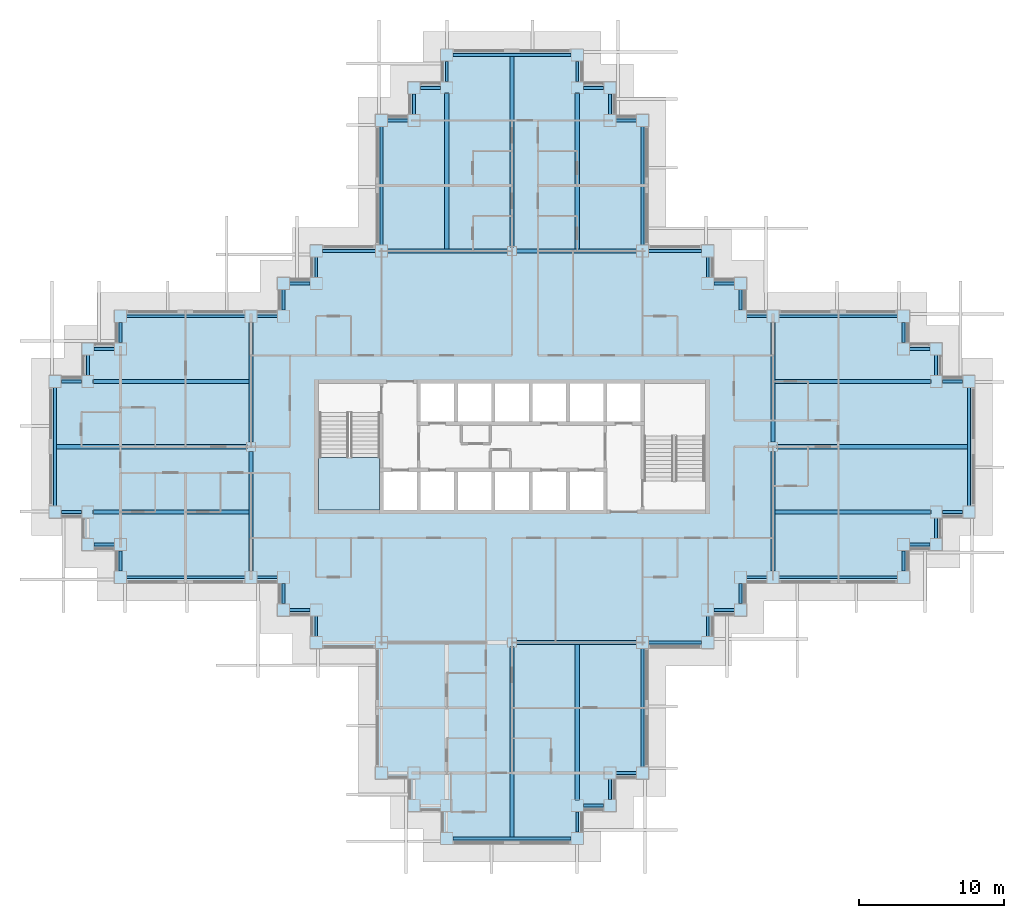
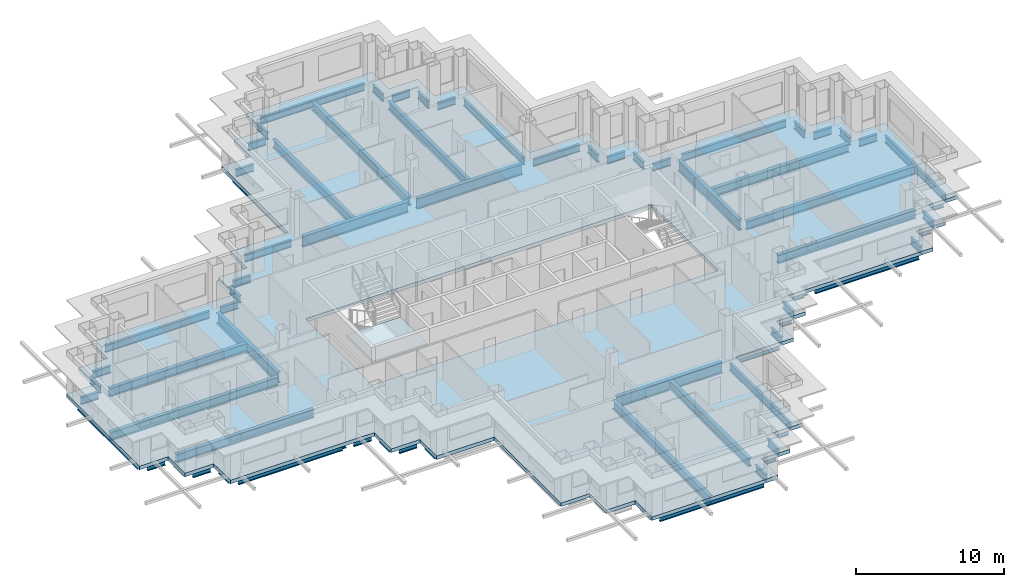
# One storey, part 3 of 17: 75 beams, 2 slabs, 1 element without a shape of its own.
"""IFC4 building model written with IfcOpenShell, lengths in metres."""

from ifc_helpers import new_model, si_unit, direction, frame, origin, origin_2d, place, context, subcontext, project, spatial, polyline, i_section, outline, extrude, material, layer, layer_set, material_profile, profile_set, type_object, element, aggregate, save


model = new_model("IFC4")

# Units and contexts
model_context = context("Model", 3, precision=1e-05, world=origin(), true_north=direction((0.0, 1.0)))
body_context = subcontext(model_context, "Body", "Model", "MODEL_VIEW")
ifc_project = project(units=[si_unit("LENGTHUNIT", "METRE"), si_unit("AREAUNIT", "SQUARE_METRE"), si_unit("VOLUMEUNIT", "CUBIC_METRE"), si_unit("PLANEANGLEUNIT", "RADIAN"), si_unit("MASSUNIT", "GRAM", prefix="KILO")], contexts=[model_context])

# Site, building, storey
site_placement = place(None, origin())
site = spatial("IfcSite", under=ifc_project, at=site_placement, CompositionType="ELEMENT")
building_placement = place(site_placement, origin())
building = spatial("IfcBuilding", under=site, at=building_placement, Name="Caravel Reach Hotel and Residences", CompositionType="ELEMENT")
storey_placement = place(building_placement, frame((0.0, 0.0, 136.800048828125)))
storey = spatial("IfcBuildingStorey", under=building, at=storey_placement, Name="L34", CompositionType="ELEMENT", Elevation=136.800048828125)

# Beams
ifc_material_1 = material(Name="Structural steel Q355B", Category="steel")
ifc_material_profile_1 = material_profile(ifc_material_1, i_section(OverallWidth=0.300048828125, OverallDepth=0.699951171875, WebThickness=0.012939453125, FlangeThickness=0.02392578125, FilletRadius=0.01806640625, at=origin_2d()), Name="HN 700x300x13x24")
ifc_profile_set_1 = profile_set([ifc_material_profile_1], Name="Structural steel Q355B")
beam_type_1 = type_object("IfcBeamType", Name="Beam HN 700x300x13x24", PredefinedType="BEAM", material=ifc_profile_set_1)
beam_1_placement = place(storey_placement, frame((27.0, 40.60009765625, -0.650146484375), z_axis=(0.0, 1.0, 0.0), x_axis=(-1.0, 0.0, 0.0)))
element("IfcBeam", 1, at=beam_1_placement, inside=storey, type_object=beam_type_1, Name="B2 HN 700x300x13x24", PredefinedType="BEAM", context=body_context, shape_type="SweptSolid", body=[
    extrude(i_section(OverallWidth=0.300048828125, OverallDepth=0.699951171875, WebThickness=0.012939453125, FlangeThickness=0.02392578125, FilletRadius=0.01806640625, at=origin_2d()), origin(), (0.0, 0.0, 1.0), 10.77490234375),
])
beam_2_placement = place(storey_placement, frame((31.5, 40.77490234375, -0.650146484375), z_axis=(0.0, 1.0, 0.0), x_axis=(-1.0, 0.0, 0.0)))
element("IfcBeam", 2, at=beam_2_placement, inside=storey, type_object=beam_type_1, Name="B2 HN 700x300x13x24", PredefinedType="BEAM", context=body_context, shape_type="SweptSolid", body=[
    extrude(i_section(OverallWidth=0.300048828125, OverallDepth=0.699951171875, WebThickness=0.012939453125, FlangeThickness=0.02392578125, FilletRadius=0.01806640625, at=origin_2d()), origin(), (0.0, 0.0, 1.0), 13.125),
])
beam_3_placement = place(storey_placement, frame((36.0, 40.60009765625, -0.650146484375), z_axis=(0.0, 1.0, 0.0), x_axis=(-1.0, 0.0, 0.0)))
element("IfcBeam", 3, at=beam_3_placement, inside=storey, type_object=beam_type_1, Name="B2 HN 700x300x13x24", PredefinedType="BEAM", context=body_context, shape_type="SweptSolid", body=[
    extrude(i_section(OverallWidth=0.300048828125, OverallDepth=0.699951171875, WebThickness=0.012939453125, FlangeThickness=0.02392578125, FilletRadius=0.01806640625, at=origin_2d()), origin(), (0.0, 0.0, 1.0), 10.77490234375),
])
beam_4_placement = place(storey_placement, frame((31.5, 13.22509765625, -0.650146484375), z_axis=(0.0, -1.0, 0.0), x_axis=(1.0, 0.0, 0.0)))
element("IfcBeam", 4, at=beam_4_placement, inside=storey, type_object=beam_type_1, Name="B2 HN 700x300x13x24", PredefinedType="BEAM", context=body_context, shape_type="SweptSolid", body=[
    extrude(i_section(OverallWidth=0.300048828125, OverallDepth=0.699951171875, WebThickness=0.012939453125, FlangeThickness=0.02392578125, FilletRadius=0.01806640625, at=origin_2d()), origin(), (0.0, 0.0, 1.0), 13.125),
])
for number, where, z_axis, x_axis, name in (
    (5, (36.0, 13.39990234375, -0.650146484375), (0.0, -1.0, 0.0), (1.0, 0.0, 0.0), "B2 HN 700x300x13x24"),
    (6, (49.60009765625, 22.5, -0.650146484375), (1.0, 0.0, 0.0), (0.0, 1.0, 0.0), "B2 HN 700x300x13x24"),
):
    element("IfcBeam", number, at=place(storey_placement, frame(where, z_axis=z_axis, x_axis=x_axis)), inside=storey, type_object=beam_type_1, Name=name, PredefinedType="BEAM", context=body_context, shape_type="SweptSolid", body=[
        extrude(i_section(OverallWidth=0.300048828125, OverallDepth=0.699951171875, WebThickness=0.012939453125, FlangeThickness=0.02392578125, FilletRadius=0.01806640625, at=origin_2d()), origin(), (0.0, 0.0, 1.0), 10.77490234375),
    ])
beam_5_placement = place(storey_placement, frame((49.77490234375, 27.0, -0.650146484375), z_axis=(1.0, 0.0, 0.0), x_axis=(0.0, 1.0, 0.0)))
element("IfcBeam", 7, at=beam_5_placement, inside=storey, type_object=beam_type_1, Name="B2 HN 700x300x13x24", PredefinedType="BEAM", context=body_context, shape_type="SweptSolid", body=[
    extrude(i_section(OverallWidth=0.300048828125, OverallDepth=0.699951171875, WebThickness=0.012939453125, FlangeThickness=0.02392578125, FilletRadius=0.01806640625, at=origin_2d()), origin(), (0.0, 0.0, 1.0), 13.125),
])
for number, where, z_axis, x_axis, name in (
    (8, (49.60009765625, 31.5, -0.650146484375), (1.0, 0.0, 0.0), (0.0, 1.0, 0.0), "B2 HN 700x300x13x24"),
    (9, (13.39990234375, 22.5, -0.650146484375), (-1.0, 0.0, 0.0), (0.0, -1.0, 0.0), "B2 HN 700x300x13x24"),
):
    element("IfcBeam", number, at=place(storey_placement, frame(where, z_axis=z_axis, x_axis=x_axis)), inside=storey, type_object=beam_type_1, Name=name, PredefinedType="BEAM", context=body_context, shape_type="SweptSolid", body=[
        extrude(i_section(OverallWidth=0.300048828125, OverallDepth=0.699951171875, WebThickness=0.012939453125, FlangeThickness=0.02392578125, FilletRadius=0.01806640625, at=origin_2d()), origin(), (0.0, 0.0, 1.0), 10.77490234375),
    ])
beam_6_placement = place(storey_placement, frame((13.22509765625, 27.0, -0.650146484375), z_axis=(-1.0, 0.0, 0.0), x_axis=(0.0, -1.0, 0.0)))
element("IfcBeam", 10, at=beam_6_placement, inside=storey, type_object=beam_type_1, Name="B2 HN 700x300x13x24", PredefinedType="BEAM", context=body_context, shape_type="SweptSolid", body=[
    extrude(i_section(OverallWidth=0.300048828125, OverallDepth=0.699951171875, WebThickness=0.012939453125, FlangeThickness=0.02392578125, FilletRadius=0.01806640625, at=origin_2d()), origin(), (0.0, 0.0, 1.0), 13.125),
])
beam_7_placement = place(storey_placement, frame((13.39990234375, 31.5, -0.650146484375), z_axis=(-1.0, 0.0, 0.0), x_axis=(0.0, -1.0, 0.0)))
element("IfcBeam", 11, at=beam_7_placement, inside=storey, type_object=beam_type_1, Name="B2 HN 700x300x13x24", PredefinedType="BEAM", context=body_context, shape_type="SweptSolid", body=[
    extrude(i_section(OverallWidth=0.300048828125, OverallDepth=0.699951171875, WebThickness=0.012939453125, FlangeThickness=0.02392578125, FilletRadius=0.01806640625, at=origin_2d()), origin(), (0.0, 0.0, 1.0), 10.77490234375),
])
ifc_material_2 = material(Name="Structural steel Q355B", Category="steel")
ifc_material_profile_2 = material_profile(ifc_material_2, i_section(OverallWidth=0.300048828125, OverallDepth=0.89990234375, WebThickness=0.01611328125, FlangeThickness=0.028076171875, FilletRadius=0.01806640625, at=origin_2d()), Name="HN 900x300x16x28")
ifc_profile_set_2 = profile_set([ifc_material_profile_2], Name="Structural steel Q355B")
beam_type_2 = type_object("IfcBeamType", Name="Beam HN 900x300x16x28", PredefinedType="BEAM", material=ifc_profile_set_2)
for number, where, z_axis, x_axis, name in (
    (12, (22.925048828125, 40.5, -0.75), (1.0, 0.0, 0.0), (0.0, 1.0, 0.0), "B3 HN 900x300x16x28"),
    (13, (31.824951171875, 40.5, -0.75), (1.0, 0.0, 0.0), (0.0, 1.0, 0.0), "B3 HN 900x300x16x28"),
    (14, (31.824951171875, 13.5, -0.75), (1.0, 0.0, 0.0), (0.0, 1.0, 0.0), "B3 HN 900x300x16x28"),
    (15, (13.5, 18.425048828125, -0.75), (0.0, 1.0, 0.0), (-1.0, 0.0, 0.0), "B3 HN 900x300x16x28"),
    (16, (13.5, 27.324951171875, -0.75), (0.0, 1.0, 0.0), (-1.0, 0.0, 0.0), "B3 HN 900x300x16x28"),
    (17, (49.5, 18.425048828125, -0.75), (0.0, 1.0, 0.0), (-1.0, 0.0, 0.0), "B3 HN 900x300x16x28"),
    (18, (49.5, 27.324951171875, -0.75), (0.0, 1.0, 0.0), (-1.0, 0.0, 0.0), "B3 HN 900x300x16x28"),
):
    element("IfcBeam", number, at=place(storey_placement, frame(where, z_axis=z_axis, x_axis=x_axis)), inside=storey, type_object=beam_type_2, Name=name, PredefinedType="BEAM", context=body_context, shape_type="SweptSolid", body=[
        extrude(i_section(OverallWidth=0.300048828125, OverallDepth=0.89990234375, WebThickness=0.01611328125, FlangeThickness=0.028076171875, FilletRadius=0.01806640625, at=origin_2d()), origin(), (0.0, 0.0, 1.0), 8.25),
    ])
ifc_material_3 = material(Name="Structural steel Q355B", Category="steel")
ifc_material_profile_3 = material_profile(ifc_material_3, i_section(OverallWidth=0.199951171875, OverallDepth=0.60009765625, WebThickness=0.010986328125, FlangeThickness=0.01708984375, FilletRadius=0.012939453125, at=origin_2d()), Name="HN 600x200x11x17")
ifc_profile_set_3 = profile_set([ifc_material_profile_3], Name="Structural steel Q355B")
beam_type_3 = type_object("IfcBeamType", Name="Spandrel beam HN 600x200x11x17", PredefinedType="SPANDREL", material=ifc_profile_set_3)
beam_8_placement = place(storey_placement, frame((27.425048828125, 0.0, -0.60009765625), z_axis=(1.0, 0.0, 0.0), x_axis=(0.0, 1.0, 0.0)))
element("IfcBeam", 19, at=beam_8_placement, inside=storey, type_object=beam_type_3, Name="SP1 HN 600x200x11x17", PredefinedType="SPANDREL", context=body_context, shape_type="SweptSolid", body=[
    extrude(i_section(OverallWidth=0.199951171875, OverallDepth=0.60009765625, WebThickness=0.010986328125, FlangeThickness=0.01708984375, FilletRadius=0.012939453125, at=origin_2d()), origin(), (0.0, 0.0, 1.0), 8.14990234375),
])
for number, where, z_axis, x_axis, name in (
    (20, (36.0, 0.425048828125, -0.60009765625), (0.0, 1.0, 0.0), (-1.0, 0.0, 0.0), "SP1 HN 600x200x11x17"),
    (21, (36.425048828125, 2.25, -0.60009765625), (1.0, 0.0, 0.0), (0.0, 1.0, 0.0), "SP1 HN 600x200x11x17"),
    (22, (38.25, 2.675048828125, -0.60009765625), (0.0, 1.0, 0.0), (-1.0, 0.0, 0.0), "SP1 HN 600x200x11x17"),
    (23, (38.675048828125, 4.5, -0.60009765625), (1.0, 0.0, 0.0), (0.0, 1.0, 0.0), "SP1 HN 600x200x11x17"),
):
    element("IfcBeam", number, at=place(storey_placement, frame(where, z_axis=z_axis, x_axis=x_axis)), inside=storey, type_object=beam_type_3, Name=name, PredefinedType="SPANDREL", context=body_context, shape_type="SweptSolid", body=[
        extrude(i_section(OverallWidth=0.199951171875, OverallDepth=0.60009765625, WebThickness=0.010986328125, FlangeThickness=0.01708984375, FilletRadius=0.012939453125, at=origin_2d()), origin(), (0.0, 0.0, 1.0), 1.39990234375),
    ])
beam_9_placement = place(storey_placement, frame((40.5, 4.925048828125, -0.60009765625), z_axis=(0.0, 1.0, 0.0), x_axis=(-1.0, 0.0, 0.0)))
element("IfcBeam", 24, at=beam_9_placement, inside=storey, type_object=beam_type_3, Name="SP1 HN 600x200x11x17", PredefinedType="SPANDREL", context=body_context, shape_type="SweptSolid", body=[
    extrude(i_section(OverallWidth=0.199951171875, OverallDepth=0.60009765625, WebThickness=0.010986328125, FlangeThickness=0.01708984375, FilletRadius=0.012939453125, at=origin_2d()), origin(), (0.0, 0.0, 1.0), 8.14990234375),
])
beam_10_placement = place(storey_placement, frame((40.925048828125, 13.5, -0.60009765625), z_axis=(1.0, 0.0, 0.0), x_axis=(0.0, 1.0, 0.0)))
element("IfcBeam", 25, at=beam_10_placement, inside=storey, type_object=beam_type_3, Name="SP1 HN 600x200x11x17", PredefinedType="SPANDREL", context=body_context, shape_type="SweptSolid", body=[
    extrude(i_section(OverallWidth=0.199951171875, OverallDepth=0.60009765625, WebThickness=0.010986328125, FlangeThickness=0.01708984375, FilletRadius=0.012939453125, at=origin_2d()), origin(), (0.0, 0.0, 1.0), 3.64990234375),
])
for number, where, z_axis, x_axis, name in (
    (26, (45.0, 13.925048828125, -0.60009765625), (0.0, 1.0, 0.0), (-1.0, 0.0, 0.0), "SP1 HN 600x200x11x17"),
    (27, (45.425048828125, 15.75, -0.60009765625), (1.0, 0.0, 0.0), (0.0, 1.0, 0.0), "SP1 HN 600x200x11x17"),
    (28, (47.25, 16.175048828125, -0.60009765625), (0.0, 1.0, 0.0), (-1.0, 0.0, 0.0), "SP1 HN 600x200x11x17"),
    (29, (47.675048828125, 18.0, -0.60009765625), (1.0, 0.0, 0.0), (0.0, 1.0, 0.0), "SP1 HN 600x200x11x17"),
):
    element("IfcBeam", number, at=place(storey_placement, frame(where, z_axis=z_axis, x_axis=x_axis)), inside=storey, type_object=beam_type_3, Name=name, PredefinedType="SPANDREL", context=body_context, shape_type="SweptSolid", body=[
        extrude(i_section(OverallWidth=0.199951171875, OverallDepth=0.60009765625, WebThickness=0.010986328125, FlangeThickness=0.01708984375, FilletRadius=0.012939453125, at=origin_2d()), origin(), (0.0, 0.0, 1.0), 1.39990234375),
    ])
beam_11_placement = place(storey_placement, frame((49.925048828125, 18.0, -0.60009765625), z_axis=(1.0, 0.0, 0.0), x_axis=(0.0, 1.0, 0.0)))
element("IfcBeam", 30, at=beam_11_placement, inside=storey, type_object=beam_type_3, Name="SP1 HN 600x200x11x17", PredefinedType="SPANDREL", context=body_context, shape_type="SweptSolid", body=[
    extrude(i_section(OverallWidth=0.199951171875, OverallDepth=0.60009765625, WebThickness=0.010986328125, FlangeThickness=0.01708984375, FilletRadius=0.012939453125, at=origin_2d()), origin(), (0.0, 0.0, 1.0), 8.14990234375),
])
for number, where, z_axis, x_axis, name in (
    (31, (58.5, 18.425048828125, -0.60009765625), (0.0, 1.0, 0.0), (-1.0, 0.0, 0.0), "SP1 HN 600x200x11x17"),
    (32, (58.925048828125, 20.25, -0.60009765625), (1.0, 0.0, 0.0), (0.0, 1.0, 0.0), "SP1 HN 600x200x11x17"),
    (33, (60.75, 20.675048828125, -0.60009765625), (0.0, 1.0, 0.0), (-1.0, 0.0, 0.0), "SP1 HN 600x200x11x17"),
    (34, (61.175048828125, 22.5, -0.60009765625), (1.0, 0.0, 0.0), (0.0, 1.0, 0.0), "SP1 HN 600x200x11x17"),
):
    element("IfcBeam", number, at=place(storey_placement, frame(where, z_axis=z_axis, x_axis=x_axis)), inside=storey, type_object=beam_type_3, Name=name, PredefinedType="SPANDREL", context=body_context, shape_type="SweptSolid", body=[
        extrude(i_section(OverallWidth=0.199951171875, OverallDepth=0.60009765625, WebThickness=0.010986328125, FlangeThickness=0.01708984375, FilletRadius=0.012939453125, at=origin_2d()), origin(), (0.0, 0.0, 1.0), 1.39990234375),
    ])
beam_12_placement = place(storey_placement, frame((63.0, 22.925048828125, -0.60009765625), z_axis=(0.0, 1.0, 0.0), x_axis=(-1.0, 0.0, 0.0)))
element("IfcBeam", 35, at=beam_12_placement, inside=storey, type_object=beam_type_3, Name="SP1 HN 600x200x11x17", PredefinedType="SPANDREL", context=body_context, shape_type="SweptSolid", body=[
    extrude(i_section(OverallWidth=0.199951171875, OverallDepth=0.60009765625, WebThickness=0.010986328125, FlangeThickness=0.01708984375, FilletRadius=0.012939453125, at=origin_2d()), origin(), (0.0, 0.0, 1.0), 8.14990234375),
])
for number, where, z_axis, x_axis, name in (
    (36, (62.574951171875, 31.5, -0.60009765625), (-1.0, 0.0, 0.0), (0.0, -1.0, 0.0), "SP1 HN 600x200x11x17"),
    (37, (60.75, 31.925048828125, -0.60009765625), (0.0, 1.0, 0.0), (-1.0, 0.0, 0.0), "SP1 HN 600x200x11x17"),
    (38, (60.324951171875, 33.75, -0.60009765625), (-1.0, 0.0, 0.0), (0.0, -1.0, 0.0), "SP1 HN 600x200x11x17"),
    (39, (58.5, 34.175048828125, -0.60009765625), (0.0, 1.0, 0.0), (-1.0, 0.0, 0.0), "SP1 HN 600x200x11x17"),
):
    element("IfcBeam", number, at=place(storey_placement, frame(where, z_axis=z_axis, x_axis=x_axis)), inside=storey, type_object=beam_type_3, Name=name, PredefinedType="SPANDREL", context=body_context, shape_type="SweptSolid", body=[
        extrude(i_section(OverallWidth=0.199951171875, OverallDepth=0.60009765625, WebThickness=0.010986328125, FlangeThickness=0.01708984375, FilletRadius=0.012939453125, at=origin_2d()), origin(), (0.0, 0.0, 1.0), 1.39990234375),
    ])
beam_13_placement = place(storey_placement, frame((58.074951171875, 36.0, -0.60009765625), z_axis=(-1.0, 0.0, 0.0), x_axis=(0.0, -1.0, 0.0)))
element("IfcBeam", 40, at=beam_13_placement, inside=storey, type_object=beam_type_3, Name="SP1 HN 600x200x11x17", PredefinedType="SPANDREL", context=body_context, shape_type="SweptSolid", body=[
    extrude(i_section(OverallWidth=0.199951171875, OverallDepth=0.60009765625, WebThickness=0.010986328125, FlangeThickness=0.01708984375, FilletRadius=0.012939453125, at=origin_2d()), origin(), (0.0, 0.0, 1.0), 8.14990234375),
])
for number, where, z_axis, x_axis, name in (
    (41, (49.074951171875, 36.0, -0.60009765625), (-1.0, 0.0, 0.0), (0.0, -1.0, 0.0), "SP1 HN 600x200x11x17"),
    (42, (47.25, 36.425048828125, -0.60009765625), (0.0, 1.0, 0.0), (-1.0, 0.0, 0.0), "SP1 HN 600x200x11x17"),
    (43, (46.824951171875, 38.25, -0.60009765625), (-1.0, 0.0, 0.0), (0.0, -1.0, 0.0), "SP1 HN 600x200x11x17"),
    (44, (45.0, 38.675048828125, -0.60009765625), (0.0, 1.0, 0.0), (-1.0, 0.0, 0.0), "SP1 HN 600x200x11x17"),
):
    element("IfcBeam", number, at=place(storey_placement, frame(where, z_axis=z_axis, x_axis=x_axis)), inside=storey, type_object=beam_type_3, Name=name, PredefinedType="SPANDREL", context=body_context, shape_type="SweptSolid", body=[
        extrude(i_section(OverallWidth=0.199951171875, OverallDepth=0.60009765625, WebThickness=0.010986328125, FlangeThickness=0.01708984375, FilletRadius=0.012939453125, at=origin_2d()), origin(), (0.0, 0.0, 1.0), 1.39990234375),
    ])
beam_14_placement = place(storey_placement, frame((44.574951171875, 40.5, -0.60009765625), z_axis=(-1.0, 0.0, 0.0), x_axis=(0.0, -1.0, 0.0)))
element("IfcBeam", 45, at=beam_14_placement, inside=storey, type_object=beam_type_3, Name="SP1 HN 600x200x11x17", PredefinedType="SPANDREL", context=body_context, shape_type="SweptSolid", body=[
    extrude(i_section(OverallWidth=0.199951171875, OverallDepth=0.60009765625, WebThickness=0.010986328125, FlangeThickness=0.01708984375, FilletRadius=0.012939453125, at=origin_2d()), origin(), (0.0, 0.0, 1.0), 3.64990234375),
])
beam_15_placement = place(storey_placement, frame((40.5, 40.925048828125, -0.60009765625), z_axis=(0.0, 1.0, 0.0), x_axis=(-1.0, 0.0, 0.0)))
element("IfcBeam", 46, at=beam_15_placement, inside=storey, type_object=beam_type_3, Name="SP1 HN 600x200x11x17", PredefinedType="SPANDREL", context=body_context, shape_type="SweptSolid", body=[
    extrude(i_section(OverallWidth=0.199951171875, OverallDepth=0.60009765625, WebThickness=0.010986328125, FlangeThickness=0.01708984375, FilletRadius=0.012939453125, at=origin_2d()), origin(), (0.0, 0.0, 1.0), 8.14990234375),
])
for number, where, z_axis, x_axis, name in (
    (47, (40.074951171875, 49.5, -0.60009765625), (-1.0, 0.0, 0.0), (0.0, -1.0, 0.0), "SP1 HN 600x200x11x17"),
    (48, (38.25, 49.925048828125, -0.60009765625), (0.0, 1.0, 0.0), (-1.0, 0.0, 0.0), "SP1 HN 600x200x11x17"),
    (49, (37.824951171875, 51.75, -0.60009765625), (-1.0, 0.0, 0.0), (0.0, -1.0, 0.0), "SP1 HN 600x200x11x17"),
    (50, (36.0, 52.175048828125, -0.60009765625), (0.0, 1.0, 0.0), (-1.0, 0.0, 0.0), "SP1 HN 600x200x11x17"),
):
    element("IfcBeam", number, at=place(storey_placement, frame(where, z_axis=z_axis, x_axis=x_axis)), inside=storey, type_object=beam_type_3, Name=name, PredefinedType="SPANDREL", context=body_context, shape_type="SweptSolid", body=[
        extrude(i_section(OverallWidth=0.199951171875, OverallDepth=0.60009765625, WebThickness=0.010986328125, FlangeThickness=0.01708984375, FilletRadius=0.012939453125, at=origin_2d()), origin(), (0.0, 0.0, 1.0), 1.39990234375),
    ])
beam_16_placement = place(storey_placement, frame((35.574951171875, 54.0, -0.60009765625), z_axis=(-1.0, 0.0, 0.0), x_axis=(0.0, -1.0, 0.0)))
element("IfcBeam", 51, at=beam_16_placement, inside=storey, type_object=beam_type_3, Name="SP1 HN 600x200x11x17", PredefinedType="SPANDREL", context=body_context, shape_type="SweptSolid", body=[
    extrude(i_section(OverallWidth=0.199951171875, OverallDepth=0.60009765625, WebThickness=0.010986328125, FlangeThickness=0.01708984375, FilletRadius=0.012939453125, at=origin_2d()), origin(), (0.0, 0.0, 1.0), 8.14990234375),
])
for number, where, z_axis, x_axis, name in (
    (52, (27.0, 53.574951171875, -0.60009765625), (0.0, -1.0, 0.0), (1.0, 0.0, 0.0), "SP1 HN 600x200x11x17"),
    (53, (26.574951171875, 51.75, -0.60009765625), (-1.0, 0.0, 0.0), (0.0, -1.0, 0.0), "SP1 HN 600x200x11x17"),
    (54, (24.75, 51.324951171875, -0.60009765625), (0.0, -1.0, 0.0), (1.0, 0.0, 0.0), "SP1 HN 600x200x11x17"),
    (55, (24.324951171875, 49.5, -0.60009765625), (-1.0, 0.0, 0.0), (0.0, -1.0, 0.0), "SP1 HN 600x200x11x17"),
):
    element("IfcBeam", number, at=place(storey_placement, frame(where, z_axis=z_axis, x_axis=x_axis)), inside=storey, type_object=beam_type_3, Name=name, PredefinedType="SPANDREL", context=body_context, shape_type="SweptSolid", body=[
        extrude(i_section(OverallWidth=0.199951171875, OverallDepth=0.60009765625, WebThickness=0.010986328125, FlangeThickness=0.01708984375, FilletRadius=0.012939453125, at=origin_2d()), origin(), (0.0, 0.0, 1.0), 1.39990234375),
    ])
beam_17_placement = place(storey_placement, frame((22.5, 49.074951171875, -0.60009765625), z_axis=(0.0, -1.0, 0.0), x_axis=(1.0, 0.0, 0.0)))
element("IfcBeam", 56, at=beam_17_placement, inside=storey, type_object=beam_type_3, Name="SP1 HN 600x200x11x17", PredefinedType="SPANDREL", context=body_context, shape_type="SweptSolid", body=[
    extrude(i_section(OverallWidth=0.199951171875, OverallDepth=0.60009765625, WebThickness=0.010986328125, FlangeThickness=0.01708984375, FilletRadius=0.012939453125, at=origin_2d()), origin(), (0.0, 0.0, 1.0), 8.14990234375),
])
beam_18_placement = place(storey_placement, frame((22.074951171875, 40.5, -0.60009765625), z_axis=(-1.0, 0.0, 0.0), x_axis=(0.0, -1.0, 0.0)))
element("IfcBeam", 57, at=beam_18_placement, inside=storey, type_object=beam_type_3, Name="SP1 HN 600x200x11x17", PredefinedType="SPANDREL", context=body_context, shape_type="SweptSolid", body=[
    extrude(i_section(OverallWidth=0.199951171875, OverallDepth=0.60009765625, WebThickness=0.010986328125, FlangeThickness=0.01708984375, FilletRadius=0.012939453125, at=origin_2d()), origin(), (0.0, 0.0, 1.0), 3.64990234375),
])
for number, where, z_axis, x_axis, name in (
    (58, (18.0, 40.074951171875, -0.60009765625), (0.0, -1.0, 0.0), (1.0, 0.0, 0.0), "SP1 HN 600x200x11x17"),
    (59, (17.574951171875, 38.25, -0.60009765625), (-1.0, 0.0, 0.0), (0.0, -1.0, 0.0), "SP1 HN 600x200x11x17"),
    (60, (15.75, 37.824951171875, -0.60009765625), (0.0, -1.0, 0.0), (1.0, 0.0, 0.0), "SP1 HN 600x200x11x17"),
    (61, (15.324951171875, 36.0, -0.60009765625), (-1.0, 0.0, 0.0), (0.0, -1.0, 0.0), "SP1 HN 600x200x11x17"),
):
    element("IfcBeam", number, at=place(storey_placement, frame(where, z_axis=z_axis, x_axis=x_axis)), inside=storey, type_object=beam_type_3, Name=name, PredefinedType="SPANDREL", context=body_context, shape_type="SweptSolid", body=[
        extrude(i_section(OverallWidth=0.199951171875, OverallDepth=0.60009765625, WebThickness=0.010986328125, FlangeThickness=0.01708984375, FilletRadius=0.012939453125, at=origin_2d()), origin(), (0.0, 0.0, 1.0), 1.39990234375),
    ])
beam_19_placement = place(storey_placement, frame((13.074951171875, 36.0, -0.60009765625), z_axis=(-1.0, 0.0, 0.0), x_axis=(0.0, -1.0, 0.0)))
element("IfcBeam", 62, at=beam_19_placement, inside=storey, type_object=beam_type_3, Name="SP1 HN 600x200x11x17", PredefinedType="SPANDREL", context=body_context, shape_type="SweptSolid", body=[
    extrude(i_section(OverallWidth=0.199951171875, OverallDepth=0.60009765625, WebThickness=0.010986328125, FlangeThickness=0.01708984375, FilletRadius=0.012939453125, at=origin_2d()), origin(), (0.0, 0.0, 1.0), 8.14990234375),
])
for number, where, z_axis, x_axis, name in (
    (63, (4.5, 35.574951171875, -0.60009765625), (0.0, -1.0, 0.0), (1.0, 0.0, 0.0), "SP1 HN 600x200x11x17"),
    (64, (4.074951171875, 33.75, -0.60009765625), (-1.0, 0.0, 0.0), (0.0, -1.0, 0.0), "SP1 HN 600x200x11x17"),
    (65, (2.25, 33.324951171875, -0.60009765625), (0.0, -1.0, 0.0), (1.0, 0.0, 0.0), "SP1 HN 600x200x11x17"),
    (66, (1.824951171875, 31.5, -0.60009765625), (-1.0, 0.0, 0.0), (0.0, -1.0, 0.0), "SP1 HN 600x200x11x17"),
):
    element("IfcBeam", number, at=place(storey_placement, frame(where, z_axis=z_axis, x_axis=x_axis)), inside=storey, type_object=beam_type_3, Name=name, PredefinedType="SPANDREL", context=body_context, shape_type="SweptSolid", body=[
        extrude(i_section(OverallWidth=0.199951171875, OverallDepth=0.60009765625, WebThickness=0.010986328125, FlangeThickness=0.01708984375, FilletRadius=0.012939453125, at=origin_2d()), origin(), (0.0, 0.0, 1.0), 1.39990234375),
    ])
beam_20_placement = place(storey_placement, frame((0.0, 31.074951171875, -0.60009765625), z_axis=(0.0, -1.0, 0.0), x_axis=(1.0, 0.0, 0.0)))
element("IfcBeam", 67, at=beam_20_placement, inside=storey, type_object=beam_type_3, Name="SP1 HN 600x200x11x17", PredefinedType="SPANDREL", context=body_context, shape_type="SweptSolid", body=[
    extrude(i_section(OverallWidth=0.199951171875, OverallDepth=0.60009765625, WebThickness=0.010986328125, FlangeThickness=0.01708984375, FilletRadius=0.012939453125, at=origin_2d()), origin(), (0.0, 0.0, 1.0), 8.14990234375),
])
for number, where, z_axis, x_axis, name in (
    (68, (0.425048828125, 22.5, -0.60009765625), (1.0, 0.0, 0.0), (0.0, 1.0, 0.0), "SP1 HN 600x200x11x17"),
    (69, (2.675048828125, 20.25, -0.60009765625), (1.0, 0.0, 0.0), (0.0, 1.0, 0.0), "SP1 HN 600x200x11x17"),
    (70, (4.5, 19.824951171875, -0.60009765625), (0.0, -1.0, 0.0), (1.0, 0.0, 0.0), "SP1 HN 600x200x11x17"),
):
    element("IfcBeam", number, at=place(storey_placement, frame(where, z_axis=z_axis, x_axis=x_axis)), inside=storey, type_object=beam_type_3, Name=name, PredefinedType="SPANDREL", context=body_context, shape_type="SweptSolid", body=[
        extrude(i_section(OverallWidth=0.199951171875, OverallDepth=0.60009765625, WebThickness=0.010986328125, FlangeThickness=0.01708984375, FilletRadius=0.012939453125, at=origin_2d()), origin(), (0.0, 0.0, 1.0), 1.39990234375),
    ])
beam_21_placement = place(storey_placement, frame((4.925048828125, 18.0, -0.60009765625), z_axis=(1.0, 0.0, 0.0), x_axis=(0.0, 1.0, 0.0)))
element("IfcBeam", 71, at=beam_21_placement, inside=storey, type_object=beam_type_3, Name="SP1 HN 600x200x11x17", PredefinedType="SPANDREL", context=body_context, shape_type="SweptSolid", body=[
    extrude(i_section(OverallWidth=0.199951171875, OverallDepth=0.60009765625, WebThickness=0.010986328125, FlangeThickness=0.01708984375, FilletRadius=0.012939453125, at=origin_2d()), origin(), (0.0, 0.0, 1.0), 8.14990234375),
])
for number, where, z_axis, x_axis, name in (
    (72, (13.925048828125, 18.0, -0.60009765625), (1.0, 0.0, 0.0), (0.0, 1.0, 0.0), "SP1 HN 600x200x11x17"),
    (73, (15.75, 17.574951171875, -0.60009765625), (0.0, -1.0, 0.0), (1.0, 0.0, 0.0), "SP1 HN 600x200x11x17"),
    (74, (16.175048828125, 15.75, -0.60009765625), (1.0, 0.0, 0.0), (0.0, 1.0, 0.0), "SP1 HN 600x200x11x17"),
    (75, (18.0, 15.324951171875, -0.60009765625), (0.0, -1.0, 0.0), (1.0, 0.0, 0.0), "SP1 HN 600x200x11x17"),
):
    element("IfcBeam", number, at=place(storey_placement, frame(where, z_axis=z_axis, x_axis=x_axis)), inside=storey, type_object=beam_type_3, Name=name, PredefinedType="SPANDREL", context=body_context, shape_type="SweptSolid", body=[
        extrude(i_section(OverallWidth=0.199951171875, OverallDepth=0.60009765625, WebThickness=0.010986328125, FlangeThickness=0.01708984375, FilletRadius=0.012939453125, at=origin_2d()), origin(), (0.0, 0.0, 1.0), 1.39990234375),
    ])

# Stair, slab
ifc_material_4 = material(Name="Concrete C40", Category="concrete")
stair_type = type_object("IfcStairType", Name="Core stair", PredefinedType="HALF_TURN_STAIR", material=ifc_material_4)
stair_placement = place(storey_placement, origin())
stair = element("IfcStair", 76, at=stair_placement, inside=storey, type_object=stair_type, Name="L34 Exit stair A", PredefinedType="HALF_TURN_STAIR")
ifc_material_5 = material(Name="Concrete C40", Category="concrete")
ifc_layer_1 = layer(ifc_material_5, 0.199951171875)
ifc_layer_set_1 = layer_set([ifc_layer_1], Name="Core stair landing")
slab_type_1 = type_object("IfcSlabType", Name="Core stair landing", PredefinedType="LANDING", material=ifc_layer_set_1)
slab_1_placement = place(storey_placement, frame((0.0, 0.0, 1.599853515625)))
slab_1 = element("IfcSlab", 77, at=slab_1_placement, type_object=slab_type_1, Name="ST-A landing 1", PredefinedType="LANDING", context=body_context, shape_type="SweptSolid", body=[
    extrude(outline(polyline([(18.14990234375, 26.27001953125), (18.14990234375, 22.64990234375), (22.375, 22.64990234375), (22.375, 26.27001953125), (18.14990234375, 26.27001953125)])), origin(), (0.0, 0.0, 1.0), 0.2001953125),
])
aggregate(stair, [slab_1])

# Slab
ifc_material_6 = material(Name="Concrete C40 post-tensioned", Category="concrete")
ifc_layer_2 = layer(ifc_material_6, 0.300048828125)
ifc_layer_set_2 = layer_set([ifc_layer_2], Name="Floor slab 300")
slab_type_2 = type_object("IfcSlabType", Name="Floor slab 300", PredefinedType="FLOOR", material=ifc_layer_set_2)
slab_2_placement = place(storey_placement, frame((0.0, 0.0, -0.300048828125)))
element("IfcSlab", 78, at=slab_2_placement, inside=storey, type_object=slab_type_2, Name="S2 slab L34", PredefinedType="FLOOR", context=body_context, shape_type="SweptSolid", body=[
    extrude(outline(polyline([(17.574951171875, 13.074951171875), (17.574951171875, 15.324951171875), (15.324951171875, 15.324951171875), (15.324951171875, 17.574951171875), (4.074951171875, 17.574951171875), (4.074951171875, 19.824951171875), (1.824951171875, 19.824951171875), (1.824951171875, 22.074951171875), (-0.425048828125, 22.074951171875), (-0.425048828125, 31.925048828125), (1.824951171875, 31.925048828125), (1.824951171875, 34.175048828125), (4.074951171875, 34.175048828125), (4.074951171875, 36.425048828125), (15.324951171875, 36.425048828125), (15.324951171875, 38.675048828125), (17.574951171875, 38.675048828125), (17.574951171875, 40.925048828125), (22.074951171875, 40.925048828125), (22.074951171875, 49.925048828125), (24.324951171875, 49.925048828125), (24.324951171875, 52.175048828125), (26.574951171875, 52.175048828125), (26.574951171875, 54.425048828125), (36.425048828125, 54.425048828125), (36.425048828125, 52.175048828125), (38.675048828125, 52.175048828125), (38.675048828125, 49.925048828125), (40.925048828125, 49.925048828125), (40.925048828125, 40.925048828125), (45.425048828125, 40.925048828125), (45.425048828125, 38.675048828125), (47.675048828125, 38.675048828125), (47.675048828125, 36.425048828125), (58.925048828125, 36.425048828125), (58.925048828125, 34.175048828125), (61.175048828125, 34.175048828125), (61.175048828125, 31.925048828125), (63.425048828125, 31.925048828125), (63.425048828125, 22.074951171875), (61.175048828125, 22.074951171875), (61.175048828125, 19.824951171875), (58.925048828125, 19.824951171875), (58.925048828125, 17.574951171875), (47.675048828125, 17.574951171875), (47.675048828125, 15.324951171875), (45.425048828125, 15.324951171875), (45.425048828125, 13.074951171875), (40.925048828125, 13.074951171875), (40.925048828125, 4.074951171875), (38.675048828125, 4.074951171875), (38.675048828125, 1.824951171875), (36.425048828125, 1.824951171875), (36.425048828125, -0.425048828125), (26.574951171875, -0.425048828125), (26.574951171875, 1.824951171875), (24.324951171875, 1.824951171875), (24.324951171875, 4.074951171875), (22.074951171875, 4.074951171875), (22.074951171875, 13.074951171875), (17.574951171875, 13.074951171875)]), holes=[polyline([(45.0, 31.5), (18.0, 31.5), (18.0, 22.5), (45.0, 22.5), (45.0, 31.5)])]), origin(), (0.0, 0.0, 1.0), 0.300048828125),
])

save(model, "model.ifc")
